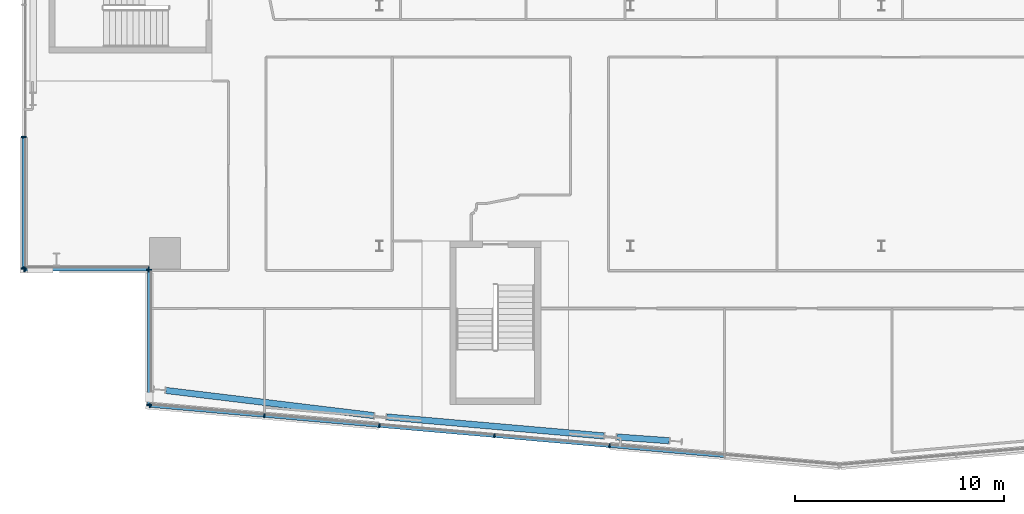
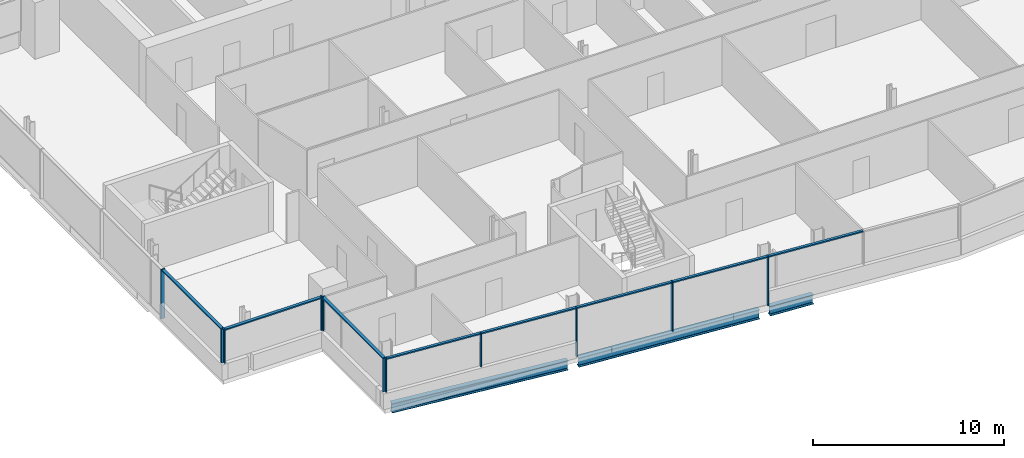
# One storey, part 6 of 24: 19 members, 3 beams, 4 elements without a shape of their own.
"""IFC4 building model written with IfcOpenShell, lengths in metres."""

from ifc_helpers import new_model, si_unit, direction, frame, origin, origin_2d, place, context, subcontext, project, spatial, rectangle, i_section, extrude, material, material_profile, profile_set, type_object, element, aggregate, save


model = new_model("IFC4")

# Units and contexts
model_context = context("Model", 3, precision=1e-05, world=origin(), true_north=direction((0.0, 1.0)))
body_context = subcontext(model_context, "Body", "Model", "MODEL_VIEW")
ifc_project = project(units=[si_unit("LENGTHUNIT", "METRE"), si_unit("AREAUNIT", "SQUARE_METRE"), si_unit("VOLUMEUNIT", "CUBIC_METRE"), si_unit("PLANEANGLEUNIT", "RADIAN"), si_unit("MASSUNIT", "GRAM", prefix="KILO")], contexts=[model_context])

# Site, building, storey
site_placement = place(None, origin())
site = spatial("IfcSite", under=ifc_project, at=site_placement, CompositionType="ELEMENT")
building_placement = place(site_placement, origin())
building = spatial("IfcBuilding", under=site, at=building_placement, Name="Wharfspan Tower", CompositionType="ELEMENT")
storey_placement = place(building_placement, frame((0.0, 0.0, 198.699951)))
storey = spatial("IfcBuildingStorey", under=building, at=storey_placement, Name="L49", CompositionType="ELEMENT", Elevation=198.699951)

# Beams
ifc_material_1 = material(Name="Steel S355J2", Category="steel")
ifc_material_profile_1 = material_profile(ifc_material_1, i_section(OverallWidth=0.300049, OverallDepth=0.600098, WebThickness=0.015381, FlangeThickness=0.030029, FilletRadius=0.0271, at=origin_2d()))
ifc_profile_set_1 = profile_set([ifc_material_profile_1], Name="Steel S355J2")
beam_type = type_object("IfcBeamType", Name="Edge beam HEB 600", PredefinedType="SPANDREL", material=ifc_profile_set_1)
beam_1_placement = place(storey_placement, frame((13.794678, 4.600586, -0.699951), z_axis=(0.992758, -0.12013, 0.0), x_axis=(0.12013, 0.992758, 0.0)))
element("IfcBeam", 1, at=beam_1_placement, inside=storey, type_object=beam_type, Name="Edge beam S1 L49 PS1.1 to PS1.2", PredefinedType="SPANDREL", context=body_context, shape_type="SweptSolid", body=[
    extrude(i_section(OverallWidth=0.300049, OverallDepth=0.600098, WebThickness=0.015381, FlangeThickness=0.030029, FilletRadius=0.0271, at=origin_2d()), origin(), (0.0, 0.0, 1.0), 10.013184),
])
beam_2_placement = place(storey_placement, frame((24.343994, 3.334229, -0.699951), z_axis=(0.996196, -0.087146, 0.0), x_axis=(0.087146, 0.996196, 0.0)))
element("IfcBeam", 2, at=beam_2_placement, inside=storey, type_object=beam_type, Name="Edge beam S1 L49 PS1.2 to PS1.3", PredefinedType="SPANDREL", context=body_context, shape_type="SweptSolid", body=[
    extrude(i_section(OverallWidth=0.300049, OverallDepth=0.600098, WebThickness=0.015381, FlangeThickness=0.030029, FilletRadius=0.0271, at=origin_2d()), origin(), (0.0, 0.0, 1.0), 10.430176),
])
beam_3_placement = place(storey_placement, frame((35.344482, 2.376709, -0.699951), z_axis=(0.997423, -0.07175, 0.0), x_axis=(0.07175, 0.997423, 0.0)))
element("IfcBeam", 3, at=beam_3_placement, inside=storey, type_object=beam_type, Name="Edge beam S1 L49 PS1.3 to PS1.4", PredefinedType="SPANDREL", context=body_context, shape_type="SweptSolid", body=[
    extrude(i_section(OverallWidth=0.300049, OverallDepth=0.600098, WebThickness=0.015381, FlangeThickness=0.030029, FilletRadius=0.0271, at=origin_2d()), origin(), (0.0, 0.0, 1.0), 2.518066),
])

# Curtain wall, members
ifc_material_2 = material(Name="Aluminium 6063-T6", Category="aluminium")
curtain_wall_type_1 = type_object("IfcCurtainWallType", Name="CURTAIN WALL FACETED FRONT", PredefinedType="NOTDEFINED", material=ifc_material_2)
curtain_wall_1_placement = place(storey_placement, origin())
curtain_wall_1 = element("IfcCurtainWall", 4, at=curtain_wall_1_placement, inside=storey, type_object=curtain_wall_type_1, Name="Curtain wall S1", PredefinedType="NOTDEFINED")
ifc_material_profile_2 = material_profile(ifc_material_2, rectangle(XDim=0.199951, YDim=0.060059, at=origin_2d()))
ifc_profile_set_2 = profile_set([ifc_material_profile_2], Name="Aluminium 6063-T6")
member_type_1 = type_object("IfcMemberType", Name="MULLION FACETED FRONT 60x200", PredefinedType="MULLION", material=ifc_profile_set_2)
member_1_placement = place(storey_placement, frame((13.029785, 3.872559, 1.0), z_axis=(0.0, 0.0, 1.0), x_axis=(0.087156, 0.996198, 0.0)))
member_1 = element("IfcMember", 5, at=member_1_placement, type_object=member_type_1, Name="Curtain wall S1 mullion 1", PredefinedType="MULLION", context=body_context, shape_type="SweptSolid", body=[
    extrude(rectangle(XDim=0.199951, YDim=0.060059, at=origin_2d()), origin(), (0.0, 0.0, 1.0), 2.150146),
])
member_2_placement = place(storey_placement, frame((18.5, 3.393799, 1.0), z_axis=(0.0, 0.0, 1.0), x_axis=(0.087156, 0.996198, 0.0)))
member_2 = element("IfcMember", 6, at=member_2_placement, type_object=member_type_1, Name="Curtain wall S1 mullion 2", PredefinedType="MULLION", context=body_context, shape_type="SweptSolid", body=[
    extrude(rectangle(XDim=0.199951, YDim=0.060059, at=origin_2d()), origin(), (0.0, 0.0, 1.0), 2.150146),
])
member_3_placement = place(storey_placement, frame((24.0, 2.912598, 0.0), z_axis=(0.0, 0.0, 1.0), x_axis=(0.087156, 0.996198, 0.0)))
member_3 = element("IfcMember", 7, at=member_3_placement, type_object=member_type_1, Name="Curtain wall S1 mullion 3", PredefinedType="MULLION", context=body_context, shape_type="SweptSolid", body=[
    extrude(rectangle(XDim=0.199951, YDim=0.060059, at=origin_2d()), origin(), (0.0, 0.0, 1.0), 3.150146),
])
member_4_placement = place(storey_placement, frame((29.5, 2.431396, 0.0), z_axis=(0.0, 0.0, 1.0), x_axis=(0.087156, 0.996198, 0.0)))
member_4 = element("IfcMember", 8, at=member_4_placement, type_object=member_type_1, Name="Curtain wall S1 mullion 4", PredefinedType="MULLION", context=body_context, shape_type="SweptSolid", body=[
    extrude(rectangle(XDim=0.199951, YDim=0.060059, at=origin_2d()), origin(), (0.0, 0.0, 1.0), 3.150146),
])
member_5_placement = place(storey_placement, frame((35.0, 1.950195, 0.0), z_axis=(0.0, 0.0, 1.0), x_axis=(0.087156, 0.996198, 0.0)))
member_5 = element("IfcMember", 9, at=member_5_placement, type_object=member_type_1, Name="Curtain wall S1 mullion 5", PredefinedType="MULLION", context=body_context, shape_type="SweptSolid", body=[
    extrude(rectangle(XDim=0.199951, YDim=0.060059, at=origin_2d()), origin(), (0.0, 0.0, 1.0), 3.150146),
])

curtain_wall_type_2 = type_object("IfcCurtainWallType", Name="CURTAIN WALL PROW AND END", PredefinedType="NOTDEFINED", material=ifc_material_2)
curtain_wall_2_placement = place(storey_placement, origin())
curtain_wall_2 = element("IfcCurtainWall", 10, at=curtain_wall_2_placement, inside=storey, type_object=curtain_wall_type_2, Name="Curtain wall W", PredefinedType="NOTDEFINED")
ifc_material_profile_3 = material_profile(ifc_material_2, rectangle(XDim=0.23999, YDim=0.060059, at=origin_2d()))
ifc_profile_set_3 = profile_set([ifc_material_profile_3], Name="Aluminium 6063-T6")
member_type_2 = type_object("IfcMemberType", Name="MULLION PROW AND END 60x240", PredefinedType="MULLION", material=ifc_profile_set_3)
member_6_placement = place(storey_placement, frame((7.0, 16.719971, 0.0), z_axis=(0.0, 0.0, 1.0), x_axis=(1.0, 0.0, 0.0)))
member_6 = element("IfcMember", 11, at=member_6_placement, type_object=member_type_2, Name="Curtain wall W mullion 5", PredefinedType="MULLION", context=body_context, shape_type="SweptSolid", body=[
    extrude(rectangle(XDim=0.23999, YDim=0.060059, at=origin_2d()), origin(), (0.0, 0.0, 1.0), 3.150146),
])
member_7_placement = place(storey_placement, frame((7.0, 10.429932, 1.0), z_axis=(0.0, 0.0, 1.0), x_axis=(1.0, 0.0, 0.0)))
member_7 = element("IfcMember", 12, at=member_7_placement, type_object=member_type_2, Name="Curtain wall W mullion 6", PredefinedType="MULLION", context=body_context, shape_type="SweptSolid", body=[
    extrude(rectangle(XDim=0.23999, YDim=0.060059, at=origin_2d()), origin(), (0.0, 0.0, 1.0), 2.150146),
])

curtain_wall_3_placement = place(storey_placement, origin())
curtain_wall_3 = element("IfcCurtainWall", 13, at=curtain_wall_3_placement, inside=storey, type_object=curtain_wall_type_2, Name="Curtain wall NFW-H", PredefinedType="NOTDEFINED")
member_8_placement = place(storey_placement, frame((7.030029, 10.399902, 1.0), z_axis=(0.0, 0.0, 1.0), x_axis=(0.0, 1.0, 0.0)))
member_8 = element("IfcMember", 14, at=member_8_placement, type_object=member_type_2, Name="Curtain wall NFW-H mullion 1", PredefinedType="MULLION", context=body_context, shape_type="SweptSolid", body=[
    extrude(rectangle(XDim=0.23999, YDim=0.060059, at=origin_2d()), origin(), (0.0, 0.0, 1.0), 2.150146),
])
member_9_placement = place(storey_placement, frame((12.969971, 10.399902, 1.0), z_axis=(0.0, 0.0, 1.0), x_axis=(0.0, 1.0, 0.0)))
member_9 = element("IfcMember", 15, at=member_9_placement, type_object=member_type_2, Name="Curtain wall NFW-H mullion 2", PredefinedType="MULLION", context=body_context, shape_type="SweptSolid", body=[
    extrude(rectangle(XDim=0.23999, YDim=0.060059, at=origin_2d()), origin(), (0.0, 0.0, 1.0), 2.150146),
])

curtain_wall_4_placement = place(storey_placement, origin())
curtain_wall_4 = element("IfcCurtainWall", 16, at=curtain_wall_4_placement, inside=storey, type_object=curtain_wall_type_2, Name="Curtain wall NFW-V", PredefinedType="NOTDEFINED")
member_10_placement = place(storey_placement, frame((13.0, 10.370117, 1.0), z_axis=(0.0, 0.0, 1.0), x_axis=(1.0, 0.0, 0.0)))
member_10 = element("IfcMember", 17, at=member_10_placement, type_object=member_type_2, Name="Curtain wall NFW-V mullion 1", PredefinedType="MULLION", context=body_context, shape_type="SweptSolid", body=[
    extrude(rectangle(XDim=0.23999, YDim=0.060059, at=origin_2d()), origin(), (0.0, 0.0, 1.0), 2.150146),
])
member_11_placement = place(storey_placement, frame((13.0, 3.905029, 1.0), z_axis=(0.0, 0.0, 1.0), x_axis=(1.0, 0.0, 0.0)))
member_11 = element("IfcMember", 18, at=member_11_placement, type_object=member_type_2, Name="Curtain wall NFW-V mullion 2", PredefinedType="MULLION", context=body_context, shape_type="SweptSolid", body=[
    extrude(rectangle(XDim=0.23999, YDim=0.060059, at=origin_2d()), origin(), (0.0, 0.0, 1.0), 2.150146),
])

# Member
ifc_material_profile_4 = material_profile(ifc_material_2, rectangle(XDim=0.159912, YDim=0.080078, at=origin_2d()))
ifc_profile_set_4 = profile_set([ifc_material_profile_4], Name="Aluminium 6063-T6")
member_type_3 = type_object("IfcMemberType", Name="TRANSOM FACETED FRONT 80x160", PredefinedType="USERDEFINED", material=ifc_profile_set_4)
member_12_placement = place(storey_placement, frame((13.059814, 3.869873, 3.110107), z_axis=(0.996194, -0.087163, 0.0), x_axis=(0.087163, 0.996194, 0.0)))
member_12 = element("IfcMember", 19, at=member_12_placement, type_object=member_type_3, Name="Curtain wall S1 transom 1", ObjectType="TRANSOM", PredefinedType="USERDEFINED", context=body_context, shape_type="SweptSolid", body=[
    extrude(rectangle(XDim=0.159912, YDim=0.080078, at=origin_2d()), origin(), (0.0, 0.0, 1.0), 5.431152),
])

member_13_placement = place(storey_placement, frame((18.529785, 3.391357, 3.110107), z_axis=(0.996193, -0.087174, 0.0), x_axis=(0.087174, 0.996193, 0.0)))
member_13 = element("IfcMember", 20, at=member_13_placement, type_object=member_type_3, Name="Curtain wall S1 transom 2", ObjectType="TRANSOM", PredefinedType="USERDEFINED", context=body_context, shape_type="SweptSolid", body=[
    extrude(rectangle(XDim=0.159912, YDim=0.080078, at=origin_2d()), origin(), (0.0, 0.0, 1.0), 5.461182),
])

member_14_placement = place(storey_placement, frame((24.029785, 2.910156, 3.110107), z_axis=(0.996193, -0.087174, 0.0), x_axis=(0.087174, 0.996193, 0.0)))
member_14 = element("IfcMember", 21, at=member_14_placement, type_object=member_type_3, Name="Curtain wall S1 transom 3", ObjectType="TRANSOM", PredefinedType="USERDEFINED", context=body_context, shape_type="SweptSolid", body=[
    extrude(rectangle(XDim=0.159912, YDim=0.080078, at=origin_2d()), origin(), (0.0, 0.0, 1.0), 5.461182),
])

member_15_placement = place(storey_placement, frame((29.529785, 2.428955, 3.110107), z_axis=(0.996193, -0.087174, 0.0), x_axis=(0.087174, 0.996193, 0.0)))
member_15 = element("IfcMember", 22, at=member_15_placement, type_object=member_type_3, Name="Curtain wall S1 transom 4", ObjectType="TRANSOM", PredefinedType="USERDEFINED", context=body_context, shape_type="SweptSolid", body=[
    extrude(rectangle(XDim=0.159912, YDim=0.080078, at=origin_2d()), origin(), (0.0, 0.0, 1.0), 5.461182),
])

member_16_placement = place(storey_placement, frame((35.029785, 1.947754, 3.110107), z_axis=(0.996193, -0.087174, 0.0), x_axis=(0.087174, 0.996193, 0.0)))
member_16 = element("IfcMember", 23, at=member_16_placement, type_object=member_type_3, Name="Curtain wall S1 transom 5", ObjectType="TRANSOM", PredefinedType="USERDEFINED", context=body_context, shape_type="SweptSolid", body=[
    extrude(rectangle(XDim=0.159912, YDim=0.080078, at=origin_2d()), origin(), (0.0, 0.0, 1.0), 5.461182),
])

aggregate(curtain_wall_1, [member_1, member_2, member_3, member_4, member_5, member_12, member_13, member_14, member_15, member_16])

ifc_material_profile_5 = material_profile(ifc_material_2, rectangle(XDim=0.179932, YDim=0.080078, at=origin_2d()))
ifc_profile_set_5 = profile_set([ifc_material_profile_5], Name="Aluminium 6063-T6")
member_type_4 = type_object("IfcMemberType", Name="TRANSOM PROW AND END 80x180", PredefinedType="USERDEFINED", material=ifc_profile_set_5)
member_17_placement = place(storey_placement, frame((7.0, 16.689941, 3.110107), z_axis=(0.0, -1.0, 0.0), x_axis=(1.0, 0.0, 0.0)))
member_17 = element("IfcMember", 24, at=member_17_placement, type_object=member_type_4, Name="Curtain wall W transom 5", ObjectType="TRANSOM", PredefinedType="USERDEFINED", context=body_context, shape_type="SweptSolid", body=[
    extrude(rectangle(XDim=0.179932, YDim=0.080078, at=origin_2d()), origin(), (0.0, 0.0, 1.0), 6.22998),
])

aggregate(curtain_wall_2, [member_6, member_7, member_17])

member_18_placement = place(storey_placement, frame((7.060059, 10.399902, 3.110107), z_axis=(1.0, 0.0, 0.0), x_axis=(0.0, 1.0, 0.0)))
member_18 = element("IfcMember", 25, at=member_18_placement, type_object=member_type_4, Name="Curtain wall NFW-H transom 1", ObjectType="TRANSOM", PredefinedType="USERDEFINED", context=body_context, shape_type="SweptSolid", body=[
    extrude(rectangle(XDim=0.179932, YDim=0.080078, at=origin_2d()), origin(), (0.0, 0.0, 1.0), 5.879883),
])

aggregate(curtain_wall_3, [member_8, member_9, member_18])

member_19_placement = place(storey_placement, frame((13.0, 10.340088, 3.110107), z_axis=(0.0, -1.0, 0.0), x_axis=(1.0, 0.0, 0.0)))
member_19 = element("IfcMember", 26, at=member_19_placement, type_object=member_type_4, Name="Curtain wall NFW-V transom 1", ObjectType="TRANSOM", PredefinedType="USERDEFINED", context=body_context, shape_type="SweptSolid", body=[
    extrude(rectangle(XDim=0.179932, YDim=0.080078, at=origin_2d()), origin(), (0.0, 0.0, 1.0), 6.405029),
])

aggregate(curtain_wall_4, [member_10, member_11, member_19])

save(model, "model.ifc")
